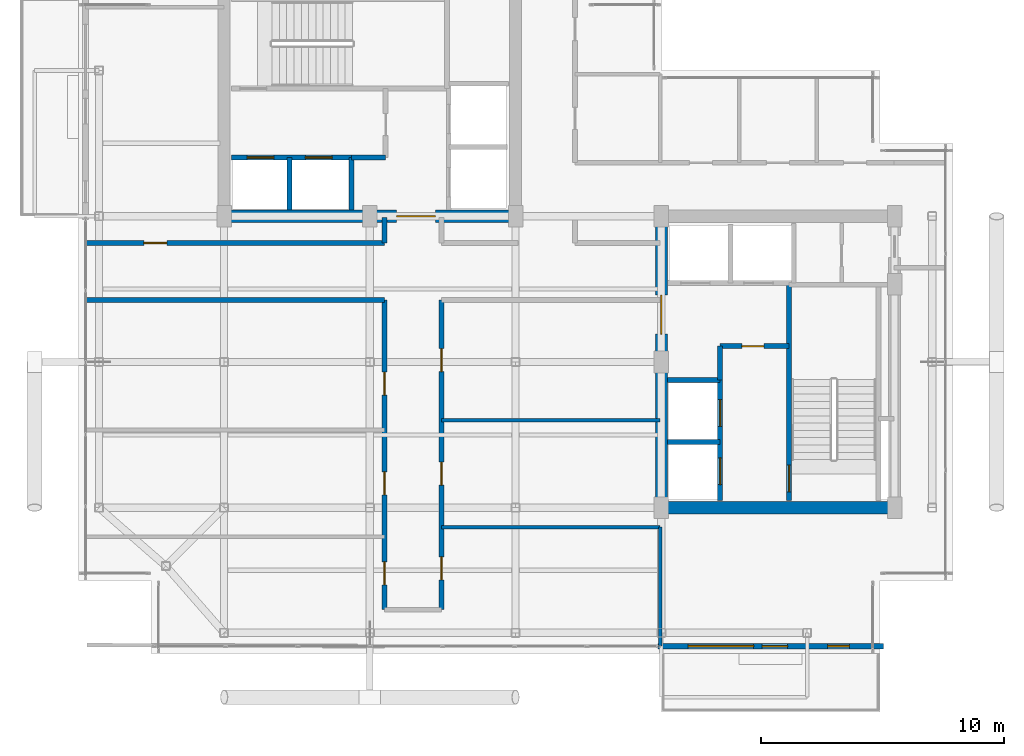
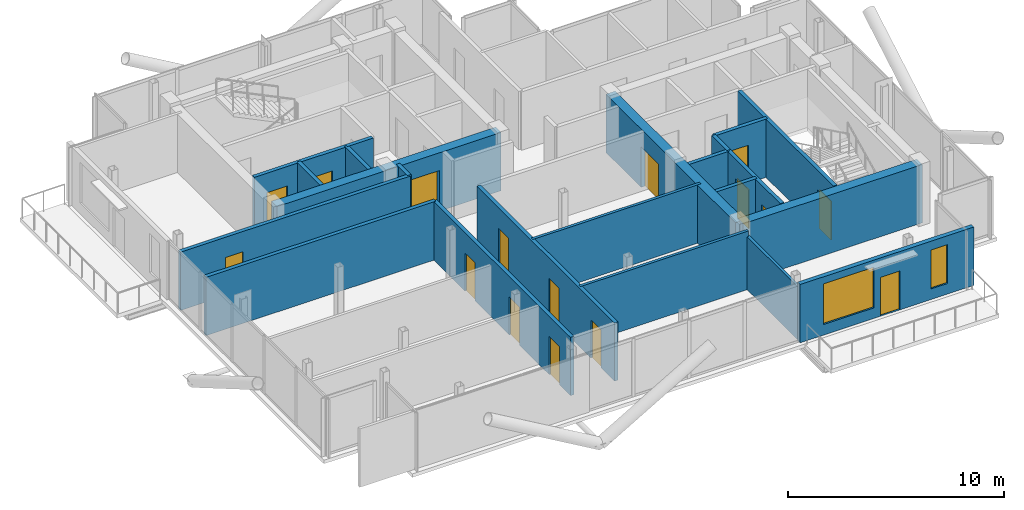
# One storey, part 14 of 18: 22 walls, 16 doors, 2 windows, 18 openings.
"""IFC4 building model written with IfcOpenShell, lengths in metres."""

from ifc_helpers import new_model, si_unit, direction, frame, frame_2d, origin, place, context, subcontext, project, spatial, rectangle, extrude, material, layer, layer_set, type_object, element, fill, save


model = new_model("IFC4")

# Units and contexts
model_context = context("Model", 3, precision=1e-05, world=origin(), true_north=direction((0.0, 1.0)))
body_context = subcontext(model_context, "Body", "Model", "MODEL_VIEW")
ifc_project = project(units=[si_unit("LENGTHUNIT", "METRE"), si_unit("AREAUNIT", "SQUARE_METRE"), si_unit("VOLUMEUNIT", "CUBIC_METRE"), si_unit("PLANEANGLEUNIT", "RADIAN"), si_unit("MASSUNIT", "GRAM", prefix="KILO"), si_unit("THERMODYNAMICTEMPERATUREUNIT", "KELVIN"), si_unit("POWERUNIT", "WATT")], contexts=[model_context])

# Site, building, storey
site_placement = place(None, origin())
site = spatial("IfcSite", under=ifc_project, at=site_placement, CompositionType="ELEMENT")
building_placement = place(site_placement, origin())
building = spatial("IfcBuilding", under=site, at=building_placement, Name="Svarakhadi Broadcast Tower", CompositionType="ELEMENT")
storey_placement = place(building_placement, frame((0.0, 0.0, 274.699951171875)))
storey = spatial("IfcBuildingStorey", under=building, at=storey_placement, Name="L69", CompositionType="ELEMENT", Elevation=274.699951171875)

# Wall, openings, doors
ifc_material_1 = material(Name="Double-Stud Acoustic Studio Partition STC-62", Category="gypsum")
ifc_layer_1 = layer(ifc_material_1, 0.199951171875)
ifc_layer_set_1 = layer_set([ifc_layer_1], Name="Double-Stud Acoustic Studio Partition STC-62")
wall_type_1 = type_object("IfcWallType", Name="Wall_Acoust_200", PredefinedType="PARTITIONING", material=ifc_layer_set_1)
wall_1_placement = place(storey_placement, frame((12.60009765625, 1.800048828125, 0.0), z_axis=(0.0, 0.0, 1.0), x_axis=(0.0, 1.0, 0.0)))
wall_1 = element("IfcWall", 1, at=wall_1_placement, inside=storey, type_object=wall_type_1, Name="L69 Upper Tower Concourse Wall", PredefinedType="PARTITIONING", context=body_context, shape_type="SweptSolid", body=[
    extrude(rectangle(XDim=12.75, YDim=0.199951171875, at=frame_2d((6.375, 0.0))), origin(), (0.0, 0.0, 1.0), 3.300048828125),
])
opening_1_placement = place(wall_1_placement, frame((1.02490234375, 0.0, 0.0)))
opening_1 = element("IfcOpeningElement", 2, at=opening_1_placement, cuts=wall_1, Name="Opening D-06", PredefinedType="OPENING", context=body_context, shape_type="SweptSolid", body=[
    extrude(rectangle(XDim=0.949951171875, YDim=2.14990234375, at=frame_2d((0.47509765625, 1.074951171875))), frame((0.0, 0.10986328125, 0.0), z_axis=(0.0, -1.0, 0.0), x_axis=(1.0, 0.0, 0.0)), (0.0, 0.0, 1.0), 0.219970703125),
])
opening_2_placement = place(wall_1_placement, frame((4.72509765625, 0.0, 0.0)))
opening_2 = element("IfcOpeningElement", 3, at=opening_2_placement, cuts=wall_1, Name="Opening D-07", PredefinedType="OPENING", context=body_context, shape_type="SweptSolid", body=[
    extrude(rectangle(XDim=0.949951171875, YDim=2.14990234375, at=frame_2d((0.47509765625, 1.074951171875))), frame((0.0, 0.10986328125, 0.0), z_axis=(0.0, -1.0, 0.0), x_axis=(1.0, 0.0, 0.0)), (0.0, 0.0, 1.0), 0.219970703125),
])
opening_3_placement = place(wall_1_placement, frame((8.830078125, 0.0, 0.0)))
opening_3 = element("IfcOpeningElement", 4, at=opening_3_placement, cuts=wall_1, Name="Opening D-06", PredefinedType="OPENING", context=body_context, shape_type="SweptSolid", body=[
    extrude(rectangle(XDim=0.949951171875, YDim=2.14990234375, at=frame_2d((0.47509765625, 1.074951171875))), frame((0.0, 0.10986328125, 0.0), z_axis=(0.0, -1.0, 0.0), x_axis=(1.0, 0.0, 0.0)), (0.0, 0.0, 1.0), 0.219970703125),
])
ifc_material_2 = material(Name="Solid-Core Teak Veneer Acoustic Timber Leaf", Category="wood")
door_type_1 = type_object("IfcDoorType", Name="Door_Office_D06", OperationType="SINGLE_SWING_LEFT", PredefinedType="DOOR", material=ifc_material_2)
door_1_placement = place(opening_1_placement, origin())
door_1 = element("IfcDoor", 5, at=door_1_placement, inside=storey, type_object=door_type_1, Name="L69 Sky Conservatory Music Recital Salon Door", OperationType="SINGLE_SWING_LEFT", OverallHeight=2.14990234375, OverallWidth=0.949951171875, PredefinedType="DOOR", context=body_context, shape_type="SweptSolid", body=[
    extrude(rectangle(XDim=0.949951171875, YDim=2.14990234375, at=frame_2d((0.47509765625, 1.074951171875))), frame((0.0, 0.02490234375, 0.0), z_axis=(0.0, -1.0, 0.0), x_axis=(1.0, 0.0, 0.0)), (0.0, 0.0, 1.0), 0.050048828125),
])
fill(opening_1, door_1)
door_2_placement = place(opening_3_placement, origin())
door_2 = element("IfcDoor", 6, at=door_2_placement, inside=storey, type_object=door_type_1, Name="L69 Curatorial Conservation Study Door", OperationType="SINGLE_SWING_LEFT", OverallHeight=2.14990234375, OverallWidth=0.949951171875, PredefinedType="DOOR", context=body_context, shape_type="SweptSolid", body=[
    extrude(rectangle(XDim=0.949951171875, YDim=2.14990234375, at=frame_2d((0.47509765625, 1.074951171875))), frame((0.0, 0.02490234375, 0.0), z_axis=(0.0, -1.0, 0.0), x_axis=(1.0, 0.0, 0.0)), (0.0, 0.0, 1.0), 0.050048828125),
])
fill(opening_3, door_2)
door_type_2 = type_object("IfcDoorType", Name="Door_Office_D07", OperationType="SINGLE_SWING_RIGHT", PredefinedType="DOOR", material=ifc_material_2)
door_3_placement = place(opening_2_placement, origin())
door_3 = element("IfcDoor", 7, at=door_3_placement, inside=storey, type_object=door_type_2, Name="L69 Private Collectors Art Gallery Door", OperationType="SINGLE_SWING_RIGHT", OverallHeight=2.14990234375, OverallWidth=0.949951171875, PredefinedType="DOOR", context=body_context, shape_type="SweptSolid", body=[
    extrude(rectangle(XDim=0.949951171875, YDim=2.14990234375, at=frame_2d((0.47509765625, 1.074951171875))), frame((0.0, 0.02490234375, 0.0), z_axis=(0.0, -1.0, 0.0), x_axis=(1.0, 0.0, 0.0)), (0.0, 0.0, 1.0), 0.050048828125),
])
fill(opening_2, door_3)

# Wall
wall_2_placement = place(storey_placement, frame((12.60009765625, 14.550048828125, 0.0), z_axis=(0.0, 0.0, 1.0), x_axis=(-1.0, 0.0, 0.0)))
element("IfcWall", 8, at=wall_2_placement, inside=storey, type_object=wall_type_1, Name="L69 Upper Tower Concourse Wall", PredefinedType="PARTITIONING", context=body_context, shape_type="SweptSolid", body=[
    extrude(rectangle(XDim=12.300048828125, YDim=0.199951171875, at=frame_2d((6.14990234375, 0.0))), origin(), (0.0, 0.0, 1.0), 3.300048828125),
])

# Wall, opening, door
wall_3_placement = place(storey_placement, frame((0.300048828125, 16.89990234375, 0.0), z_axis=(0.0, 0.0, 1.0), x_axis=(1.0, 0.0, 0.0)))
wall_3 = element("IfcWall", 9, at=wall_3_placement, inside=storey, type_object=wall_type_1, Name="L69 Upper Tower Concourse Wall", PredefinedType="PARTITIONING", context=body_context, shape_type="SweptSolid", body=[
    extrude(rectangle(XDim=12.300048828125, YDim=0.199951171875, at=frame_2d((6.14990234375, 0.0))), origin(), (0.0, 0.0, 1.0), 3.300048828125),
])
opening_4_placement = place(wall_3_placement, frame((2.39990234375, 0.0, 0.0)))
opening_4 = element("IfcOpeningElement", 10, at=opening_4_placement, cuts=wall_3, Name="Opening D-07", PredefinedType="OPENING", context=body_context, shape_type="SweptSolid", body=[
    extrude(rectangle(XDim=0.949951171875, YDim=2.14990234375, at=frame_2d((0.47509765625, 1.074951171875))), frame((0.0, 0.10986328125, 0.0), z_axis=(0.0, -1.0, 0.0), x_axis=(1.0, 0.0, 0.0)), (0.0, 0.0, 1.0), 0.219970703125),
])
door_4_placement = place(opening_4_placement, origin())
door_4 = element("IfcDoor", 11, at=door_4_placement, inside=storey, type_object=door_type_2, Name="L69 Sky Library Reading Salon Door", OperationType="SINGLE_SWING_RIGHT", OverallHeight=2.14990234375, OverallWidth=0.949951171875, PredefinedType="DOOR", context=body_context, shape_type="SweptSolid", body=[
    extrude(rectangle(XDim=0.949951171875, YDim=2.14990234375, at=frame_2d((0.47509765625, 1.074951171875))), frame((0.0, 0.02490234375, 0.0), z_axis=(0.0, -1.0, 0.0), x_axis=(1.0, 0.0, 0.0)), (0.0, 0.0, 1.0), 0.050048828125),
])
fill(opening_4, door_4)

# Wall
wall_4_placement = place(storey_placement, frame((12.60009765625, 16.89990234375, 0.0), z_axis=(0.0, 0.0, 1.0), x_axis=(0.0, 1.0, 0.0)))
element("IfcWall", 12, at=wall_4_placement, inside=storey, type_object=wall_type_1, Name="L69 Upper Tower Concourse Wall", PredefinedType="PARTITIONING", context=body_context, shape_type="SweptSolid", body=[
    extrude(rectangle(XDim=1.050048828125, YDim=0.199951171875, at=frame_2d((0.52490234375, 0.0))), origin(), (0.0, 0.0, 1.0), 3.300048828125),
])

# Wall, openings, doors
wall_5_placement = place(storey_placement, frame((14.949951171875, 14.550048828125, 0.0), z_axis=(0.0, 0.0, 1.0), x_axis=(0.0, -1.0, 0.0)))
wall_5 = element("IfcWall", 13, at=wall_5_placement, inside=storey, type_object=wall_type_1, Name="L69 Upper Tower Concourse Wall", PredefinedType="PARTITIONING", context=body_context, shape_type="SweptSolid", body=[
    extrude(rectangle(XDim=12.75, YDim=0.199951171875, at=frame_2d((6.375, 0.0))), origin(), (0.0, 0.0, 1.0), 3.300048828125),
])
opening_5_placement = place(wall_5_placement, frame((10.574951171875, 0.0, 0.0)))
opening_5 = element("IfcOpeningElement", 14, at=opening_5_placement, cuts=wall_5, Name="Opening D-07", PredefinedType="OPENING", context=body_context, shape_type="SweptSolid", body=[
    extrude(rectangle(XDim=0.949951171875, YDim=2.14990234375, at=frame_2d((0.47509765625, 1.074951171875))), frame((0.0, 0.10986328125, 0.0), z_axis=(0.0, -1.0, 0.0), x_axis=(1.0, 0.0, 0.0)), (0.0, 0.0, 1.0), 0.219970703125),
])
opening_6_placement = place(wall_5_placement, frame((6.675048828125, 0.0, 0.0)))
opening_6 = element("IfcOpeningElement", 15, at=opening_6_placement, cuts=wall_5, Name="Opening D-06", PredefinedType="OPENING", context=body_context, shape_type="SweptSolid", body=[
    extrude(rectangle(XDim=0.949951171875, YDim=2.14990234375, at=frame_2d((0.47509765625, 1.074951171875))), frame((0.0, 0.10986328125, 0.0), z_axis=(0.0, -1.0, 0.0), x_axis=(1.0, 0.0, 0.0)), (0.0, 0.0, 1.0), 0.219970703125),
])
opening_7_placement = place(wall_5_placement, frame((2.0, 0.0, 0.0)))
opening_7 = element("IfcOpeningElement", 16, at=opening_7_placement, cuts=wall_5, Name="Opening D-07", PredefinedType="OPENING", context=body_context, shape_type="SweptSolid", body=[
    extrude(rectangle(XDim=0.949951171875, YDim=2.14990234375, at=frame_2d((0.47509765625, 1.074951171875))), frame((0.0, 0.10986328125, 0.0), z_axis=(0.0, -1.0, 0.0), x_axis=(1.0, 0.0, 0.0)), (0.0, 0.0, 1.0), 0.219970703125),
])
door_5_placement = place(opening_6_placement, origin())
door_5 = element("IfcDoor", 17, at=door_5_placement, inside=storey, type_object=door_type_1, Name="L69 Sky Boardroom Pod Door", OperationType="SINGLE_SWING_LEFT", OverallHeight=2.14990234375, OverallWidth=0.949951171875, PredefinedType="DOOR", context=body_context, shape_type="SweptSolid", body=[
    extrude(rectangle(XDim=0.949951171875, YDim=2.14990234375, at=frame_2d((0.47509765625, 1.074951171875))), frame((0.0, 0.02490234375, 0.0), z_axis=(0.0, -1.0, 0.0), x_axis=(1.0, 0.0, 0.0)), (0.0, 0.0, 1.0), 0.050048828125),
])
fill(opening_6, door_5)
door_6_placement = place(opening_5_placement, origin())
door_6 = element("IfcDoor", 18, at=door_6_placement, inside=storey, type_object=door_type_2, Name="L69 Residents Private Study Pod 1 Door", OperationType="SINGLE_SWING_RIGHT", OverallHeight=2.14990234375, OverallWidth=0.949951171875, PredefinedType="DOOR", context=body_context, shape_type="SweptSolid", body=[
    extrude(rectangle(XDim=0.949951171875, YDim=2.14990234375, at=frame_2d((0.47509765625, 1.074951171875))), frame((0.0, 0.02490234375, 0.0), z_axis=(0.0, -1.0, 0.0), x_axis=(1.0, 0.0, 0.0)), (0.0, 0.0, 1.0), 0.050048828125),
])
fill(opening_5, door_6)
door_7_placement = place(opening_7_placement, origin())
door_7 = element("IfcDoor", 19, at=door_7_placement, inside=storey, type_object=door_type_2, Name="L69 Chamber Seminar Room Door", OperationType="SINGLE_SWING_RIGHT", OverallHeight=2.14990234375, OverallWidth=0.949951171875, PredefinedType="DOOR", context=body_context, shape_type="SweptSolid", body=[
    extrude(rectangle(XDim=0.949951171875, YDim=2.14990234375, at=frame_2d((0.47509765625, 1.074951171875))), frame((0.0, 0.02490234375, 0.0), z_axis=(0.0, -1.0, 0.0), x_axis=(1.0, 0.0, 0.0)), (0.0, 0.0, 1.0), 0.050048828125),
])
fill(opening_7, door_7)

# Wall, openings, door, windows
ifc_material_3 = material(Name="Concrete C40/50 (IS 456 M50)", Category="concrete")
ifc_layer_2 = layer(ifc_material_3, 0.239990234375)
ifc_layer_set_2 = layer_set([ifc_layer_2], Name="Concrete C40/50 (IS 456 M50)")
wall_type_2 = type_object("IfcWallType", Name="Wall_Ext_240", PredefinedType="SOLIDWALL", material=ifc_layer_set_2)
wall_6_placement = place(storey_placement, frame((33.14501953125, 0.300048828125, 0.0), z_axis=(0.0, 0.0, 1.0), x_axis=(-1.0, 0.0, 0.0)))
wall_6 = element("IfcWall", 20, at=wall_6_placement, inside=storey, type_object=wall_type_2, Name="L69 South Tree Balcony Spandrel Wall", PredefinedType="SOLIDWALL", context=body_context, shape_type="SweptSolid", body=[
    extrude(rectangle(XDim=9.2900390625, YDim=0.239990234375, at=frame_2d((4.64501953125, 0.0))), origin(), (0.0, 0.0, 1.0), 3.300048828125),
])
opening_8_placement = place(wall_6_placement, frame((3.945068359375, 0.0, 0.0)))
opening_8 = element("IfcOpeningElement", 21, at=opening_8_placement, cuts=wall_6, Name="Opening ED-05", PredefinedType="OPENING", context=body_context, shape_type="SweptSolid", body=[
    extrude(rectangle(XDim=1.050048828125, YDim=2.199951171875, at=frame_2d((0.52490234375, 1.10009765625))), frame((0.0, 0.1298828125, 0.0), z_axis=(0.0, -1.0, 0.0), x_axis=(1.0, 0.0, 0.0)), (0.0, 0.0, 1.0), 0.260009765625),
])
opening_9_placement = place(wall_6_placement, frame((5.344970703125, 0.0, 0.60009765625)))
opening_9 = element("IfcOpeningElement", 22, at=opening_9_placement, cuts=wall_6, Name="Opening WN-07", PredefinedType="OPENING", context=body_context, shape_type="SweptSolid", body=[
    extrude(rectangle(XDim=2.699951171875, YDim=2.300048828125, at=frame_2d((1.35009765625, 1.14990234375))), frame((0.0, 0.1298828125, 0.0), z_axis=(0.0, -1.0, 0.0), x_axis=(1.0, 0.0, 0.0)), (0.0, 0.0, 1.0), 0.260009765625),
])
opening_10_placement = place(wall_6_placement, frame((1.39990234375, 0.0, 0.60009765625)))
opening_10 = element("IfcOpeningElement", 23, at=opening_10_placement, cuts=wall_6, Name="Opening WN-04", PredefinedType="OPENING", context=body_context, shape_type="SweptSolid", body=[
    extrude(rectangle(XDim=0.89990234375, YDim=2.199951171875, at=frame_2d((0.449951171875, 1.10009765625))), frame((0.0, 0.1298828125, 0.0), z_axis=(0.0, -1.0, 0.0), x_axis=(1.0, 0.0, 0.0)), (0.0, 0.0, 1.0), 0.260009765625),
])
ifc_material_4 = material(Name="Anodised Bronze Aluminium AA 6063-T6", Category="aluminium")
door_type_3 = type_object("IfcDoorType", Name="Door_Ext_ED05", OperationType="SINGLE_SWING_LEFT", PredefinedType="DOOR", material=ifc_material_4)
door_8_placement = place(opening_8_placement, origin())
door_8 = element("IfcDoor", 24, at=door_8_placement, inside=storey, type_object=door_type_3, Name="L69 South Tree Balcony Door", OperationType="SINGLE_SWING_LEFT", OverallHeight=2.199951171875, OverallWidth=1.050048828125, PredefinedType="DOOR", context=body_context, shape_type="SweptSolid", body=[
    extrude(rectangle(XDim=1.050048828125, YDim=2.199951171875, at=frame_2d((0.52490234375, 1.10009765625))), frame((0.0, 0.02490234375, 0.0), z_axis=(0.0, -1.0, 0.0), x_axis=(1.0, 0.0, 0.0)), (0.0, 0.0, 1.0), 0.050048828125),
])
fill(opening_8, door_8)
ifc_material_5 = material(Name="Double Low-E Laminated Acoustic Glass IGU 36 mm", Category="glass")
window_type_1 = type_object("IfcWindowType", Name="Win_Resi_WN07", PartitioningType="SINGLE_PANEL", PredefinedType="WINDOW", material=ifc_material_5)
window_1_placement = place(opening_9_placement, origin())
window_1 = element("IfcWindow", 25, at=window_1_placement, inside=storey, type_object=window_type_1, Name="L69 South Tree Balcony Window", OverallHeight=2.300048828125, OverallWidth=2.699951171875, PartitioningType="SINGLE_PANEL", PredefinedType="WINDOW", context=body_context, shape_type="SweptSolid", body=[
    extrude(rectangle(XDim=2.699951171875, YDim=2.300048828125, at=frame_2d((1.35009765625, 1.14990234375))), frame((0.0, 0.030029296875, 0.0), z_axis=(0.0, -1.0, 0.0), x_axis=(1.0, 0.0, 0.0)), (0.0, 0.0, 1.0), 0.06005859375),
])
fill(opening_9, window_1)
window_type_2 = type_object("IfcWindowType", Name="Win_Slot_WN04", PartitioningType="SINGLE_PANEL", PredefinedType="WINDOW", material=ifc_material_5)
window_2_placement = place(opening_10_placement, origin())
window_2 = element("IfcWindow", 26, at=window_2_placement, inside=storey, type_object=window_type_2, Name="L69 South Primary Bedroom Slot Window", OverallHeight=2.199951171875, OverallWidth=0.89990234375, PartitioningType="SINGLE_PANEL", PredefinedType="WINDOW", context=body_context, shape_type="SweptSolid", body=[
    extrude(rectangle(XDim=0.89990234375, YDim=2.199951171875, at=frame_2d((0.449951171875, 1.10009765625))), frame((0.0, 0.030029296875, 0.0), z_axis=(0.0, -1.0, 0.0), x_axis=(1.0, 0.0, 0.0)), (0.0, 0.0, 1.0), 0.06005859375),
])
fill(opening_10, window_2)

# Walls
ifc_material_6 = material(Name="Autoclaved Aerated Concrete Blockwork 150 mm", Category="masonry")
ifc_layer_3 = layer(ifc_material_6, 0.14990234375)
ifc_layer_set_3 = layer_set([ifc_layer_3], Name="Autoclaved Aerated Concrete Blockwork 150 mm")
wall_type_3 = type_object("IfcWallType", Name="Wall_Part_150", PredefinedType="PARTITIONING", material=ifc_layer_set_3)
wall_7_placement = place(storey_placement, frame((14.949951171875, 5.199951171875, 0.0), z_axis=(0.0, 0.0, 1.0), x_axis=(1.0, 0.0, 0.0)))
element("IfcWall", 27, at=wall_7_placement, inside=storey, type_object=wall_type_3, Name="L69 Residents Private Study Pod 1 Wall", PredefinedType="PARTITIONING", context=body_context, shape_type="SweptSolid", body=[
    extrude(rectangle(XDim=9.0, YDim=0.14990234375, at=frame_2d((4.5, 0.0))), origin(), (0.0, 0.0, 1.0), 3.300048828125),
])
wall_8_placement = place(storey_placement, frame((23.949951171875, 0.300048828125, 0.0), z_axis=(0.0, 0.0, 1.0), x_axis=(0.0, 1.0, 0.0)))
element("IfcWall", 28, at=wall_8_placement, inside=storey, type_object=wall_type_3, Name="L69 Residents Private Study Pod 1 Wall", PredefinedType="PARTITIONING", context=body_context, shape_type="SweptSolid", body=[
    extrude(rectangle(XDim=4.89990234375, YDim=0.14990234375, at=frame_2d((2.449951171875, 0.0))), origin(), (0.0, 0.0, 1.0), 2.991943359375),
])
wall_9_placement = place(storey_placement, frame((14.949951171875, 9.60009765625, 0.0), z_axis=(0.0, 0.0, 1.0), x_axis=(1.0, 0.0, 0.0)))
element("IfcWall", 29, at=wall_9_placement, inside=storey, type_object=wall_type_3, Name="L69 Sky Boardroom Pod Wall", PredefinedType="PARTITIONING", context=body_context, shape_type="SweptSolid", body=[
    extrude(rectangle(XDim=9.0, YDim=0.14990234375, at=frame_2d((4.5, 0.0))), origin(), (0.0, 0.0, 1.0), 3.300048828125),
])

# Wall, opening, door
ifc_material_7 = material(Name="Concrete C50/60 (IS 456 M60)", Category="concrete")
ifc_layer_4 = layer(ifc_material_7, 0.199951171875)
ifc_layer_set_4 = layer_set([ifc_layer_4], Name="Concrete C50/60 (IS 456 M60)")
wall_type_4 = type_object("IfcWallType", Name="Wall_Shear_200", PredefinedType="SHEAR", material=ifc_layer_set_4)
wall_10_placement = place(storey_placement, frame((29.260009765625, 6.300048828125, 0.0), z_axis=(0.0, 0.0, 1.0), x_axis=(0.0, 1.0, 0.0)))
wall_10 = element("IfcWall", 30, at=wall_10_placement, inside=storey, type_object=wall_type_4, Name="L69 Stair ST-02 West RC Shaft Wall", PredefinedType="SHEAR", context=body_context, shape_type="SweptSolid", body=[
    extrude(rectangle(XDim=8.8798828125, YDim=0.199951171875, at=frame_2d((4.43994140625, 0.0))), origin(), (0.0, 0.0, 1.0), 3.300048828125),
])
opening_11_placement = place(wall_10_placement, frame((0.35009765625, 0.0, 0.0)))
opening_11 = element("IfcOpeningElement", 31, at=opening_11_placement, cuts=wall_10, Name="Opening D-02", PredefinedType="OPENING", context=body_context, shape_type="SweptSolid", body=[
    extrude(rectangle(XDim=1.10009765625, YDim=2.199951171875, at=frame_2d((0.550048828125, 1.10009765625))), frame((0.0, 0.10986328125, 0.0), z_axis=(0.0, -1.0, 0.0), x_axis=(1.0, 0.0, 0.0)), (0.0, 0.0, 1.0), 0.219970703125),
])
ifc_material_8 = material(Name="Galvanised Powder-Coated Fire-Rated Steel Leaf", Category="steel")
door_type_4 = type_object("IfcDoorType", Name="Door_Stair_D02", OperationType="SINGLE_SWING_RIGHT", PredefinedType="DOOR", material=ifc_material_8)
door_9_placement = place(opening_11_placement, origin())
door_9 = element("IfcDoor", 32, at=door_9_placement, inside=storey, type_object=door_type_4, Name="L69 Protected Exit Stair ST-02 Fire Door", OperationType="SINGLE_SWING_RIGHT", OverallHeight=2.199951171875, OverallWidth=1.10009765625, PredefinedType="DOOR", context=body_context, shape_type="SweptSolid", body=[
    extrude(rectangle(XDim=1.10009765625, YDim=2.199951171875, at=frame_2d((0.550048828125, 1.10009765625))), frame((0.0, 0.02490234375, 0.0), z_axis=(0.0, -1.0, 0.0), x_axis=(1.0, 0.0, 0.0)), (0.0, 0.0, 1.0), 0.050048828125),
])
fill(opening_11, door_9)

# Wall, openings, doors
wall_11_placement = place(storey_placement, frame((6.300048828125, 20.419921875, 0.0), z_axis=(0.0, 0.0, 1.0), x_axis=(1.0, 0.0, 0.0)))
wall_11 = element("IfcWall", 33, at=wall_11_placement, inside=storey, type_object=wall_type_4, Name="L69 Firefighting Lift LF-01/02 Shaft Wall", PredefinedType="SHEAR", context=body_context, shape_type="SweptSolid", body=[
    extrude(rectangle(XDim=4.949951171875, YDim=0.199951171875, at=frame_2d((2.47509765625, 0.0))), origin(), (0.0, 0.0, 1.0), 3.300048828125),
])
opening_12_placement = place(wall_11_placement, frame((0.64990234375, 0.0, 0.0)))
opening_12 = element("IfcOpeningElement", 34, at=opening_12_placement, cuts=wall_11, Name="Opening LD-01", PredefinedType="OPENING", context=body_context, shape_type="SweptSolid", body=[
    extrude(rectangle(XDim=1.10009765625, YDim=2.199951171875, at=frame_2d((0.550048828125, 1.10009765625))), frame((0.0, 0.10986328125, 0.0), z_axis=(0.0, -1.0, 0.0), x_axis=(1.0, 0.0, 0.0)), (0.0, 0.0, 1.0), 0.219970703125),
])
opening_13_placement = place(wall_11_placement, frame((3.050048828125, 0.0, 0.0)))
opening_13 = element("IfcOpeningElement", 35, at=opening_13_placement, cuts=wall_11, Name="Opening LD-01", PredefinedType="OPENING", context=body_context, shape_type="SweptSolid", body=[
    extrude(rectangle(XDim=1.10009765625, YDim=2.199951171875, at=frame_2d((0.550048828125, 1.10009765625))), frame((0.0, 0.10986328125, 0.0), z_axis=(0.0, -1.0, 0.0), x_axis=(1.0, 0.0, 0.0)), (0.0, 0.0, 1.0), 0.219970703125),
])
door_type_5 = type_object("IfcDoorType", Name="Door_Lift_LD01", OperationType="SLIDING_TO_LEFT", PredefinedType="DOOR", material=ifc_material_8)
door_10_placement = place(opening_12_placement, origin())
door_10 = element("IfcDoor", 36, at=door_10_placement, inside=storey, type_object=door_type_5, Name="L69 Firefighting Lift LF-01 Landing Door", OperationType="SLIDING_TO_LEFT", OverallHeight=2.199951171875, OverallWidth=1.10009765625, PredefinedType="DOOR", context=body_context, shape_type="SweptSolid", body=[
    extrude(rectangle(XDim=1.10009765625, YDim=2.199951171875, at=frame_2d((0.550048828125, 1.10009765625))), frame((0.0, 0.02490234375, 0.0), z_axis=(0.0, -1.0, 0.0), x_axis=(1.0, 0.0, 0.0)), (0.0, 0.0, 1.0), 0.050048828125),
])
fill(opening_12, door_10)
door_11_placement = place(opening_13_placement, origin())
door_11 = element("IfcDoor", 37, at=door_11_placement, inside=storey, type_object=door_type_5, Name="L69 Firefighting Lift LF-02 Landing Door", OperationType="SLIDING_TO_LEFT", OverallHeight=2.199951171875, OverallWidth=1.10009765625, PredefinedType="DOOR", context=body_context, shape_type="SweptSolid", body=[
    extrude(rectangle(XDim=1.10009765625, YDim=2.199951171875, at=frame_2d((0.550048828125, 1.10009765625))), frame((0.0, 0.02490234375, 0.0), z_axis=(0.0, -1.0, 0.0), x_axis=(1.0, 0.0, 0.0)), (0.0, 0.0, 1.0), 0.050048828125),
])
fill(opening_13, door_11)

# Walls
for number, where, z_axis, x_axis, name in (
    (38, (8.699951171875, 18.25, 0.0), (0.0, 0.0, 1.0), (0.0, 1.0, 0.0), "L69 Firefighting Lift LF-01/02 Divider Wall"),
    (39, (11.25, 18.25, 0.0), (0.0, 0.0, 1.0), (0.0, 1.0, 0.0), "L69 Firefighting Lift LF-02 East Wall"),
):
    element("IfcWall", number, at=place(storey_placement, frame(where, z_axis=z_axis, x_axis=x_axis)), inside=storey, type_object=wall_type_4, Name=name, PredefinedType="SHEAR", context=body_context, shape_type="SweptSolid", body=[
        extrude(rectangle(XDim=2.169921875, YDim=0.199951171875, at=frame_2d((1.0849609375, 0.0))), origin(), (0.0, 0.0, 1.0), 3.300048828125),
    ])
wall_12_placement = place(storey_placement, frame((11.25, 20.419921875, 0.0), z_axis=(0.0, 0.0, 1.0), x_axis=(1.0, 0.0, 0.0)))
element("IfcWall", 40, at=wall_12_placement, inside=storey, type_object=wall_type_4, Name="L69 West Firefighting Lobby South Wall", PredefinedType="SHEAR", context=body_context, shape_type="SweptSolid", body=[
    extrude(rectangle(XDim=1.39990234375, YDim=0.199951171875, at=frame_2d((0.699951171875, 0.0))), origin(), (0.0, 0.0, 1.0), 3.300048828125),
])

# Wall, openings, doors
wall_13_placement = place(storey_placement, frame((26.419921875, 6.300048828125, 0.0), z_axis=(0.0, 0.0, 1.0), x_axis=(0.0, 1.0, 0.0)))
wall_13 = element("IfcWall", 41, at=wall_13_placement, inside=storey, type_object=wall_type_4, Name="L69 Firefighting Lift LF-03/04 Shaft Wall", PredefinedType="SHEAR", context=body_context, shape_type="SweptSolid", body=[
    extrude(rectangle(XDim=4.949951171875, YDim=0.199951171875, at=frame_2d((2.47509765625, 0.0))), origin(), (0.0, 0.0, 1.0), 3.300048828125),
])
opening_14_placement = place(wall_13_placement, frame((0.64990234375, 0.0, 0.0)))
opening_14 = element("IfcOpeningElement", 42, at=opening_14_placement, cuts=wall_13, Name="Opening LD-01", PredefinedType="OPENING", context=body_context, shape_type="SweptSolid", body=[
    extrude(rectangle(XDim=1.10009765625, YDim=2.199951171875, at=frame_2d((0.550048828125, 1.10009765625))), frame((0.0, 0.10986328125, 0.0), z_axis=(0.0, -1.0, 0.0), x_axis=(1.0, 0.0, 0.0)), (0.0, 0.0, 1.0), 0.219970703125),
])
opening_15_placement = place(wall_13_placement, frame((3.050048828125, 0.0, 0.0)))
opening_15 = element("IfcOpeningElement", 43, at=opening_15_placement, cuts=wall_13, Name="Opening LD-01", PredefinedType="OPENING", context=body_context, shape_type="SweptSolid", body=[
    extrude(rectangle(XDim=1.10009765625, YDim=2.199951171875, at=frame_2d((0.550048828125, 1.10009765625))), frame((0.0, 0.10986328125, 0.0), z_axis=(0.0, -1.0, 0.0), x_axis=(1.0, 0.0, 0.0)), (0.0, 0.0, 1.0), 0.219970703125),
])
door_12_placement = place(opening_14_placement, origin())
door_12 = element("IfcDoor", 44, at=door_12_placement, inside=storey, type_object=door_type_5, Name="L69 Firefighting Lift LF-03 Landing Door", OperationType="SLIDING_TO_LEFT", OverallHeight=2.199951171875, OverallWidth=1.10009765625, PredefinedType="DOOR", context=body_context, shape_type="SweptSolid", body=[
    extrude(rectangle(XDim=1.10009765625, YDim=2.199951171875, at=frame_2d((0.550048828125, 1.10009765625))), frame((0.0, 0.02490234375, 0.0), z_axis=(0.0, -1.0, 0.0), x_axis=(1.0, 0.0, 0.0)), (0.0, 0.0, 1.0), 0.050048828125),
])
fill(opening_14, door_12)
door_13_placement = place(opening_15_placement, origin())
door_13 = element("IfcDoor", 45, at=door_13_placement, inside=storey, type_object=door_type_5, Name="L69 Firefighting Lift LF-04 Landing Door", OperationType="SLIDING_TO_LEFT", OverallHeight=2.199951171875, OverallWidth=1.10009765625, PredefinedType="DOOR", context=body_context, shape_type="SweptSolid", body=[
    extrude(rectangle(XDim=1.10009765625, YDim=2.199951171875, at=frame_2d((0.550048828125, 1.10009765625))), frame((0.0, 0.02490234375, 0.0), z_axis=(0.0, -1.0, 0.0), x_axis=(1.0, 0.0, 0.0)), (0.0, 0.0, 1.0), 0.050048828125),
])
fill(opening_15, door_13)

# Walls
for number, where, z_axis, x_axis, name in (
    (46, (24.25, 8.699951171875, 0.0), (0.0, 0.0, 1.0), (1.0, 0.0, 0.0), "L69 Firefighting Lift LF-03/04 Divider Wall"),
    (47, (24.25, 11.25, 0.0), (0.0, 0.0, 1.0), (1.0, 0.0, 0.0), "L69 Firefighting Lift LF-04 North Wall"),
):
    element("IfcWall", number, at=place(storey_placement, frame(where, z_axis=z_axis, x_axis=x_axis)), inside=storey, type_object=wall_type_4, Name=name, PredefinedType="SHEAR", context=body_context, shape_type="SweptSolid", body=[
        extrude(rectangle(XDim=2.169921875, YDim=0.199951171875, at=frame_2d((1.0849609375, 0.0))), origin(), (0.0, 0.0, 1.0), 3.300048828125),
    ])
wall_14_placement = place(storey_placement, frame((26.419921875, 11.25, 0.0), z_axis=(0.0, 0.0, 1.0), x_axis=(0.0, 1.0, 0.0)))
element("IfcWall", 48, at=wall_14_placement, inside=storey, type_object=wall_type_4, Name="L69 East Firefighting Lobby West Wall", PredefinedType="SHEAR", context=body_context, shape_type="SweptSolid", body=[
    extrude(rectangle(XDim=1.39990234375, YDim=0.199951171875, at=frame_2d((0.699951171875, 0.0))), origin(), (0.0, 0.0, 1.0), 3.300048828125),
])

# Wall, opening, door
wall_15_placement = place(storey_placement, frame((26.419921875, 12.64990234375, 0.0), z_axis=(0.0, 0.0, 1.0), x_axis=(1.0, 0.0, 0.0)))
wall_15 = element("IfcWall", 49, at=wall_15_placement, inside=storey, type_object=wall_type_4, Name="L69 East Firefighting Lobby North Wall", PredefinedType="SHEAR", context=body_context, shape_type="SweptSolid", body=[
    extrude(rectangle(XDim=2.840087890625, YDim=0.199951171875, at=frame_2d((1.419921875, 0.0))), origin(), (0.0, 0.0, 1.0), 3.300048828125),
])
opening_16_placement = place(wall_15_placement, frame((0.89990234375, 0.0, 0.0)))
opening_16 = element("IfcOpeningElement", 50, at=opening_16_placement, cuts=wall_15, Name="Opening D-03", PredefinedType="OPENING", context=body_context, shape_type="SweptSolid", body=[
    extrude(rectangle(XDim=0.89990234375, YDim=2.14990234375, at=frame_2d((0.449951171875, 1.074951171875))), frame((0.0, 0.10986328125, 0.0), z_axis=(0.0, -1.0, 0.0), x_axis=(1.0, 0.0, 0.0)), (0.0, 0.0, 1.0), 0.219970703125),
])
door_type_6 = type_object("IfcDoorType", Name="Door_Fire_D03", OperationType="SINGLE_SWING_LEFT", PredefinedType="DOOR", material=ifc_material_8)
door_14_placement = place(opening_16_placement, origin())
door_14 = element("IfcDoor", 51, at=door_14_placement, inside=storey, type_object=door_type_6, Name="L69 East Firefighting Lobby Fire Door", OperationType="SINGLE_SWING_LEFT", OverallHeight=2.14990234375, OverallWidth=0.89990234375, PredefinedType="DOOR", context=body_context, shape_type="SweptSolid", body=[
    extrude(rectangle(XDim=0.89990234375, YDim=2.14990234375, at=frame_2d((0.449951171875, 1.074951171875))), frame((0.0, 0.02490234375, 0.0), z_axis=(0.0, -1.0, 0.0), x_axis=(1.0, 0.0, 0.0)), (0.0, 0.0, 1.0), 0.050048828125),
])
fill(opening_16, door_14)

ifc_layer_5 = layer(ifc_material_7, 0.5)
ifc_layer_set_5 = layer_set([ifc_layer_5], Name="Concrete C50/60 (IS 456 M60)")
wall_type_5 = type_object("IfcWallType", Name="Wall_Shear_500", PredefinedType="SHEAR", material=ifc_layer_set_5)
wall_16_placement = place(storey_placement, frame((6.0, 18.0, 0.0), z_axis=(0.0, 0.0, 1.0), x_axis=(1.0, 0.0, 0.0)))
wall_16 = element("IfcWall", 52, at=wall_16_placement, inside=storey, type_object=wall_type_5, Name="L69 West Core South Shear Wall", PredefinedType="SHEAR", context=body_context, shape_type="SweptSolid", body=[
    extrude(rectangle(XDim=12.0, YDim=0.5, at=frame_2d((6.0, 0.0))), origin(), (0.0, 0.0, 1.0), 3.300048828125),
])
opening_17_placement = place(wall_16_placement, frame((7.10009765625, 0.0, 0.0)))
opening_17 = element("IfcOpeningElement", 53, at=opening_17_placement, cuts=wall_16, Name="Opening D-05", PredefinedType="OPENING", context=body_context, shape_type="SweptSolid", body=[
    extrude(rectangle(XDim=1.60009765625, YDim=2.300048828125, at=frame_2d((0.800048828125, 1.14990234375))), frame((0.0, 0.260009765625, 0.0), z_axis=(0.0, -1.0, 0.0), x_axis=(1.0, 0.0, 0.0)), (0.0, 0.0, 1.0), 0.52001953125),
])
door_type_7 = type_object("IfcDoorType", Name="Door_Lobby_D05", OperationType="DOUBLE_DOOR_SLIDING", PredefinedType="DOOR", material=ifc_material_4)
door_15_placement = place(opening_17_placement, origin())
door_15 = element("IfcDoor", 54, at=door_15_placement, inside=storey, type_object=door_type_7, Name="L69 West Core Passenger Lift Lobby Entrance Door", OperationType="DOUBLE_DOOR_SLIDING", OverallHeight=2.300048828125, OverallWidth=1.60009765625, PredefinedType="DOOR", context=body_context, shape_type="SweptSolid", body=[
    extrude(rectangle(XDim=1.60009765625, YDim=2.300048828125, at=frame_2d((0.800048828125, 1.14990234375))), frame((0.0, 0.02490234375, 0.0), z_axis=(0.0, -1.0, 0.0), x_axis=(1.0, 0.0, 0.0)), (0.0, 0.0, 1.0), 0.050048828125),
])
fill(opening_17, door_15)

# Wall
wall_17_placement = place(storey_placement, frame((24.0, 6.0, 0.0), z_axis=(0.0, 0.0, 1.0), x_axis=(1.0, 0.0, 0.0)))
element("IfcWall", 55, at=wall_17_placement, inside=storey, type_object=wall_type_5, Name="L69 East Core South Shear Wall", PredefinedType="SHEAR", context=body_context, shape_type="SweptSolid", body=[
    extrude(rectangle(XDim=9.60009765625, YDim=0.5, at=frame_2d((4.800048828125, 0.0))), origin(), (0.0, 0.0, 1.0), 3.300048828125),
])

# Wall, opening, door
wall_18_placement = place(storey_placement, frame((24.0, 6.0, 0.0), z_axis=(0.0, 0.0, 1.0), x_axis=(0.0, 1.0, 0.0)))
wall_18 = element("IfcWall", 56, at=wall_18_placement, inside=storey, type_object=wall_type_5, Name="L69 East Core West Shear Wall", PredefinedType="SHEAR", context=body_context, shape_type="SweptSolid", body=[
    extrude(rectangle(XDim=12.0, YDim=0.5, at=frame_2d((6.0, 0.0))), origin(), (0.0, 0.0, 1.0), 3.300048828125),
])
opening_18_placement = place(wall_18_placement, frame((7.14990234375, 0.0, 0.0)))
opening_18 = element("IfcOpeningElement", 57, at=opening_18_placement, cuts=wall_18, Name="Opening D-05", PredefinedType="OPENING", context=body_context, shape_type="SweptSolid", body=[
    extrude(rectangle(XDim=1.60009765625, YDim=2.300048828125, at=frame_2d((0.800048828125, 1.14990234375))), frame((0.0, 0.260009765625, 0.0), z_axis=(0.0, -1.0, 0.0), x_axis=(1.0, 0.0, 0.0)), (0.0, 0.0, 1.0), 0.52001953125),
])
door_16_placement = place(opening_18_placement, origin())
door_16 = element("IfcDoor", 58, at=door_16_placement, inside=storey, type_object=door_type_7, Name="L69 East Core Passenger Lift Lobby Entrance Door", OperationType="DOUBLE_DOOR_SLIDING", OverallHeight=2.300048828125, OverallWidth=1.60009765625, PredefinedType="DOOR", context=body_context, shape_type="SweptSolid", body=[
    extrude(rectangle(XDim=1.60009765625, YDim=2.300048828125, at=frame_2d((0.800048828125, 1.14990234375))), frame((0.0, 0.02490234375, 0.0), z_axis=(0.0, -1.0, 0.0), x_axis=(1.0, 0.0, 0.0)), (0.0, 0.0, 1.0), 0.050048828125),
])
fill(opening_18, door_16)

save(model, "model.ifc")
